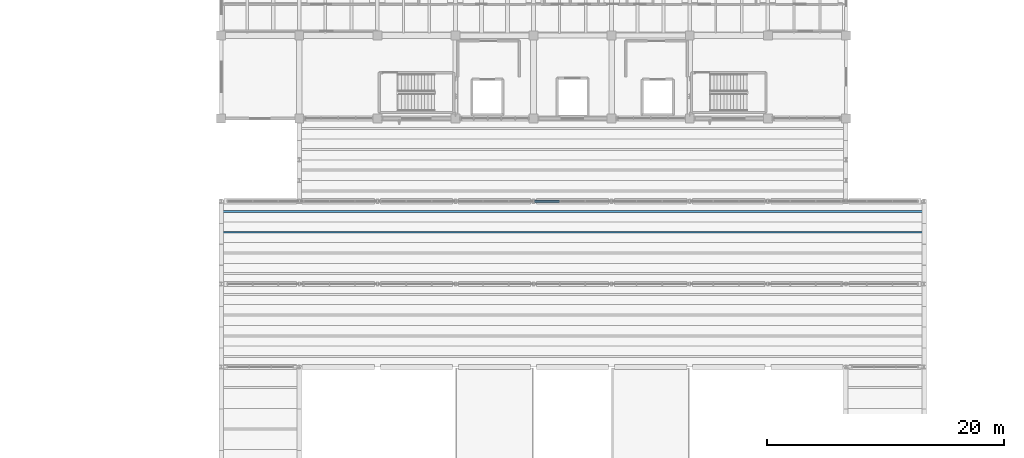
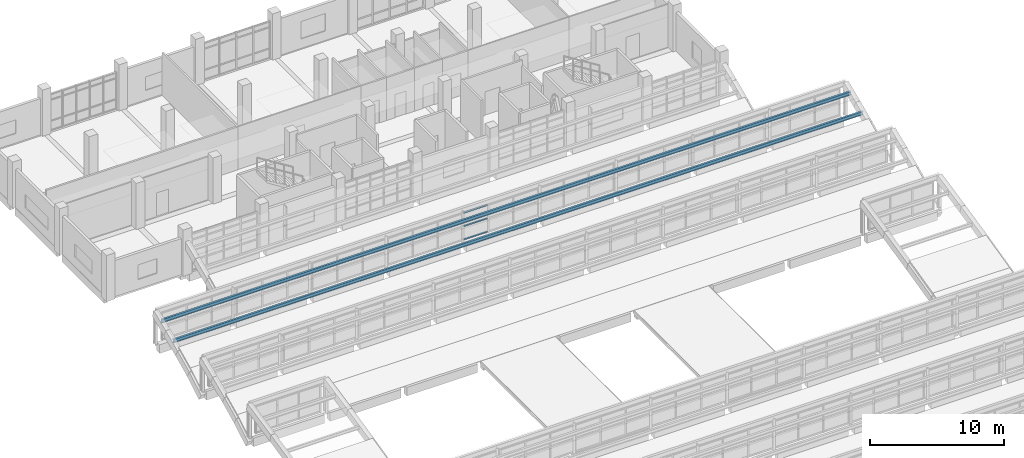
# One storey, part 49 of 92: 5 members, 1 element without a shape of its own.
"""IFC4 building model written with IfcOpenShell, lengths in metres."""

import ifcopenshell
import ifcopenshell.guid

model = None  # the IFC model being written
_history = None  # IfcOwnerHistory: only IFC2X3 demands one
_inside = {}  # id of a spatial element -> (the spatial element, [elements in it])
_under = {}  # id of a project, library or spatial element -> (it, [spatial elements below it])
_declared = {}  # id of a project -> (the project, [libraries it declares])
_typed = {}  # id of a type object -> (the type object, [elements of that type])
_made_of = {}  # id of a material, layer set ... -> (it, [elements and type objects made of it])


def new_model(schema):
    """Start an empty IFC model of exactly this schema.

    Asked for "IFC4X3", IfcOpenShell would pick the latest addendum, in which some entities
    have other attributes; the version numbers below select the first issue.
    IFC2X3 requires an IfcOwnerHistory on every rooted entity: one is made here for all.
    """
    global model, _history
    if schema == "IFC4X3":
        model = ifcopenshell.file(schema_version=(4, 3, 0, 0))
    else:
        model = ifcopenshell.file(schema=schema)
    _inside.clear()
    _under.clear()
    _declared.clear()
    _typed.clear()
    _made_of.clear()
    _history = None
    if model.schema == "IFC2X3":
        org = make("IfcOrganization", Name="unknown")
        user = make(
            "IfcPersonAndOrganization",
            ThePerson=make("IfcPerson", FamilyName="unknown"),
            TheOrganization=org,
        )
        app = make(
            "IfcApplication",
            ApplicationDeveloper=org,
            Version="unknown",
            ApplicationFullName="unknown",
            ApplicationIdentifier="unknown",
        )
        _history = make(
            "IfcOwnerHistory",
            OwningUser=user,
            OwningApplication=app,
            ChangeAction="ADDED",
            CreationDate=0,
        )
    return model


def make(cls, **values):
    """One entity of the class cls with the attributes given. An attribute that is None is left unset."""
    return model.create_entity(
        cls, **{name: value for name, value in values.items() if value is not None}
    )


def rooted(cls, **values):
    """An entity with a GlobalId (a new one), such as an element, a storey or a relation."""
    return make(cls, GlobalId=ifcopenshell.guid.new(), OwnerHistory=_history, **values)


def si_unit(unit_type, name, prefix=None):
    """IfcSIUnit, for example si_unit("LENGTHUNIT", "METRE", prefix="MILLI")."""
    return make("IfcSIUnit", UnitType=unit_type, Prefix=prefix, Name=name)


def assignment(units):
    """IfcUnitAssignment: the units of a project."""
    return None if units is None else make("IfcUnitAssignment", Units=units)


def point(xyz):
    """IfcCartesianPoint."""
    return None if xyz is None else make("IfcCartesianPoint", Coordinates=xyz)


def direction(xyz):
    """IfcDirection."""
    return None if xyz is None else make("IfcDirection", DirectionRatios=xyz)


def frame(location, z_axis=None, x_axis=None):
    """IfcAxis2Placement3D, a coordinate frame: its origin and axes. An axis left out is left unset."""
    return make(
        "IfcAxis2Placement3D",
        Location=point(location),
        Axis=direction(z_axis),
        RefDirection=direction(x_axis),
    )


def frame_2d(location, x_axis=None):
    """IfcAxis2Placement2D, a coordinate frame in the plane: its origin and x axis."""
    return make(
        "IfcAxis2Placement2D", Location=point(location), RefDirection=direction(x_axis)
    )


def origin():
    """The frame at (0, 0, 0) with its axes left unset."""
    return frame((0.0, 0.0, 0.0))


def origin_2d():
    """The frame at (0, 0) in the plane with its x axis left unset."""
    return frame_2d((0.0, 0.0))


def place(relative_to, where):
    """IfcLocalPlacement: puts the frame where relative to a parent placement (None: the world)."""
    return make(
        "IfcLocalPlacement", PlacementRelTo=relative_to, RelativePlacement=where
    )


def context(
    kind, dimensions, precision=None, world=None, true_north=None, identifier=None
):
    """IfcGeometricRepresentationContext, for example the 3D "Model" context."""
    return make(
        "IfcGeometricRepresentationContext",
        ContextIdentifier=identifier,
        ContextType=kind,
        CoordinateSpaceDimension=dimensions,
        Precision=precision,
        WorldCoordinateSystem=world,
        TrueNorth=true_north,
    )


def subcontext(parent, identifier, kind, view, scale=None):
    """IfcGeometricRepresentationSubContext, for example "Body" below "Model"."""
    return make(
        "IfcGeometricRepresentationSubContext",
        ContextIdentifier=identifier,
        ContextType=kind,
        ParentContext=parent,
        TargetScale=scale,
        TargetView=view,
    )


def project(units=None, contexts=None):
    """IfcProject with its units and contexts."""
    return rooted(
        "IfcProject",
        Name="project",
        RepresentationContexts=contexts,
        UnitsInContext=assignment(units),
    )


def spatial(cls, under=None, at=None, **own):
    """A site, building, storey or space (cls), placed at a placement, below another one or the project."""
    s = rooted(cls, ObjectPlacement=at, **own)
    if under is not None:
        _under.setdefault(under.id(), (under, []))[1].append(s)
    return s


def profile(cls, at=None, kind="AREA", **sizes):
    """A parametric profile (cls). Its sizes go by their IFC names, for example OverallWidth=200.0."""
    return make(cls, ProfileType=kind, Position=at, **sizes)


def rectangle(**sizes):
    """IfcRectangleProfileDef."""
    return profile("IfcRectangleProfileDef", **sizes)


def i_section(**sizes):
    """IfcIShapeProfileDef."""
    return profile("IfcIShapeProfileDef", **sizes)


def extrude(swept, where, along, depth):
    """IfcExtrudedAreaSolid: the profile swept, set in the frame where, extruded along a direction by depth."""
    return make(
        "IfcExtrudedAreaSolid",
        SweptArea=swept,
        Position=where,
        ExtrudedDirection=direction(along),
        Depth=depth,
    )


def shape(context_of_items, identifier, shape_type, items):
    """IfcShapeRepresentation: the items that make up one representation, for example the "Body"."""
    return make(
        "IfcShapeRepresentation",
        ContextOfItems=context_of_items,
        RepresentationIdentifier=identifier,
        RepresentationType=shape_type,
        Items=items,
    )


def material(Name=None, Category=None):
    """IfcMaterial."""
    return make("IfcMaterial", Name=Name, Category=Category)


def material_profile(
    of_material, cross_section, Name=None, Category=None, Priority=None
):
    """IfcMaterialProfile: a cross section and its material."""
    return make(
        "IfcMaterialProfile",
        Name=Name,
        Material=of_material,
        Profile=cross_section,
        Priority=Priority,
        Category=Category,
    )


def profile_set(profiles, Name=None, composite=None):
    """IfcMaterialProfileSet."""
    return make(
        "IfcMaterialProfileSet",
        Name=Name,
        MaterialProfiles=profiles,
        CompositeProfile=composite,
    )


def made_of(thing, what):
    """Note that an element or type object is made of a material, layer set ...; save() writes the relation."""
    if what is not None:
        _made_of.setdefault(what.id(), (what, []))[1].append(thing)
    return thing


def type_object(cls, material=None, **own):
    """A type object (cls), such as IfcWallType, which elements share."""
    return made_of(rooted(cls, **own), material)


def element(
    cls,
    number,
    at=None,
    inside=None,
    cuts=None,
    type_object=None,
    material=None,
    context=None,
    identifier="Body",
    shape_type=None,
    held_by="IfcProductDefinitionShape",
    body=None,
    shapes=None,
    **own,
):
    """One element of the class cls, such as IfcWall. Its Tag is "e" and its number.

    at: its placement. inside: the storey or other place that contains it. cuts: it is an
    opening in that element (IfcRelVoidsElement). A single representation is given by context,
    identifier, shape_type and body (its items); several are given by shapes. held_by: the class
    of the entity that holds the representations. save() writes the other relations.
    """
    e = rooted(cls, Tag="e%d" % number, ObjectPlacement=at, **own)
    if body is not None:
        shapes = [shape(context, identifier, shape_type, body)]
    if shapes is not None:
        e.Representation = make(held_by, Representations=shapes)
    if inside is not None:
        _inside.setdefault(inside.id(), (inside, []))[1].append(e)
    if cuts is not None:
        rooted(
            "IfcRelVoidsElement", RelatingBuildingElement=cuts, RelatedOpeningElement=e
        )
    if type_object is not None:
        _typed.setdefault(type_object.id(), (type_object, []))[1].append(e)
    return made_of(e, material)


def aggregate(whole, parts):
    """IfcRelAggregates: a whole, such as a stair, and the parts it consists of."""
    return rooted("IfcRelAggregates", RelatingObject=whole, RelatedObjects=parts)


def save(model, path):
    """Write the relations noted so far, then the file.

    IfcRelAggregates (storeys below a building ...), IfcRelContainedInSpatialStructure (elements
    in a storey), IfcRelDefinesByType, IfcRelAssociatesMaterial and IfcRelDeclares: one each for
    every whole, place, type object, material and project.
    """
    for whole, parts in _under.values():
        aggregate(whole, parts)
    for where, things in _inside.values():
        rooted(
            "IfcRelContainedInSpatialStructure",
            RelatedElements=things,
            RelatingStructure=where,
        )
    for kind, things in _typed.values():
        rooted("IfcRelDefinesByType", RelatedObjects=things, RelatingType=kind)
    for what, things in _made_of.values():
        rooted("IfcRelAssociatesMaterial", RelatedObjects=things, RelatingMaterial=what)
    for by, libraries in _declared.values():
        rooted("IfcRelDeclares", RelatingContext=by, RelatedDefinitions=libraries)
    model.write(path)


model = new_model("IFC4")

# Units and contexts
model_context = context("Model", 3, precision=1e-05, world=origin(), true_north=direction((0.0, 1.0)))
body_context = subcontext(model_context, "Body", "Model", "MODEL_VIEW")
ifc_project = project(units=[si_unit("LENGTHUNIT", "METRE"), si_unit("AREAUNIT", "SQUARE_METRE"), si_unit("VOLUMEUNIT", "CUBIC_METRE"), si_unit("PLANEANGLEUNIT", "RADIAN"), si_unit("MASSUNIT", "GRAM", prefix="KILO")], contexts=[model_context])

# Site, building, storey
site_placement = place(None, origin())
site = spatial("IfcSite", under=ifc_project, at=site_placement, CompositionType="ELEMENT")
building_placement = place(site_placement, origin())
building = spatial("IfcBuilding", under=site, at=building_placement, Name="Ciguamira Faculty of Natural Sciences", CompositionType="ELEMENT")
storey_placement = place(building_placement, frame((0.0, 0.0, 16.800048828125)))
storey = spatial("IfcBuildingStorey", under=building, at=storey_placement, Name="L04", CompositionType="ELEMENT", Elevation=16.800048828125)

# Curtain wall, members
ifc_material_1 = material(Name="Anodized aluminium curtain wall", Category="aluminium")
curtain_wall_type = type_object("IfcCurtainWallType", Name="CurtainWall_CW-08", PredefinedType="USERDEFINED", material=ifc_material_1)
curtain_wall_placement = place(storey_placement, origin())
curtain_wall = element("IfcCurtainWall", 1, at=curtain_wall_placement, inside=storey, type_object=curtain_wall_type, Name="V4 north-light wave 6 clerestory glazing 1", ObjectType="UNITISED CURTAIN WALL", PredefinedType="USERDEFINED")
ifc_material_2 = material(Name="Anodized aluminium transom", Category="aluminium")
ifc_material_profile_1 = material_profile(ifc_material_2, rectangle(XDim=0.070068359375, YDim=0.139892578125, at=origin_2d()), Name="ALU-TRN-70X140")
ifc_profile_set_1 = profile_set([ifc_material_profile_1], Name="Anodized aluminium transom")
member_type_1 = type_object("IfcMemberType", Name="CWTransom_CWT-02", PredefinedType="USERDEFINED", material=ifc_profile_set_1)
member_1_placement = place(storey_placement, frame((83.79052734375, 87.0, 0.284912109375), z_axis=(1.0, 0.0, 0.0), x_axis=(0.0, 0.0, 1.0)))
member_1 = element("IfcMember", 2, at=member_1_placement, type_object=member_type_1, Name="CW-08 transom 13.1", ObjectType="TRANSOM", PredefinedType="USERDEFINED", context=body_context, shape_type="SweptSolid", body=[
    extrude(rectangle(XDim=0.070068359375, YDim=0.139892578125, at=origin_2d()), origin(), (0.0, 0.0, 1.0), 2.093017578125),
])
member_2_placement = place(storey_placement, frame((83.79052734375, 87.0, 1.5), z_axis=(1.0, 0.0, 0.0), x_axis=(0.0, 0.0, 1.0)))
member_2 = element("IfcMember", 3, at=member_2_placement, type_object=member_type_1, Name="CW-08 transom 13.2", ObjectType="TRANSOM", PredefinedType="USERDEFINED", context=body_context, shape_type="SweptSolid", body=[
    extrude(rectangle(XDim=0.070068359375, YDim=0.139892578125, at=origin_2d()), origin(), (0.0, 0.0, 1.0), 2.093017578125),
])
member_3_placement = place(storey_placement, frame((83.79052734375, 87.0, 2.71484375), z_axis=(1.0, 0.0, 0.0), x_axis=(0.0, 0.0, 1.0)))
member_3 = element("IfcMember", 4, at=member_3_placement, type_object=member_type_1, Name="CW-08 transom 13.3", ObjectType="TRANSOM", PredefinedType="USERDEFINED", context=body_context, shape_type="SweptSolid", body=[
    extrude(rectangle(XDim=0.070068359375, YDim=0.139892578125, at=origin_2d()), origin(), (0.0, 0.0, 1.0), 2.093017578125),
])
aggregate(curtain_wall, [member_1, member_2, member_3])

# Members
ifc_material_3 = material(Name="Steel ASTM A992 Grade 50", Category="steel")
ifc_material_profile_2 = material_profile(ifc_material_3, i_section(OverallWidth=0.164794921875, OverallDepth=0.309814453125, WebThickness=0.005859375, FlangeThickness=0.009765625, at=origin_2d()), Name="W12X26")
ifc_profile_set_2 = profile_set([ifc_material_profile_2], Name="Steel ASTM A992 Grade 50")
member_type_2 = type_object("IfcMemberType", Name="SteelMember_PR-02_W12X26", PredefinedType="PURLIN", material=ifc_profile_set_2)
for number, where, z_axis, x_axis, name in (
    (5, (57.300048828125, 84.375, 1.8994140625), (1.0, 0.0, 0.0), (0.0, 1.0, 0.0), "V4 wave roof steel purlin 6-1-3"),
    (6, (57.300048828125, 86.125, 2.65625), (1.0, 0.0, 0.0), (0.0, 1.0, 0.0), "V4 wave roof steel purlin 6-1-4"),
):
    element("IfcMember", number, at=place(storey_placement, frame(where, z_axis=z_axis, x_axis=x_axis)), inside=storey, type_object=member_type_2, Name=name, PredefinedType="PURLIN", context=body_context, shape_type="SweptSolid", body=[
        extrude(i_section(OverallWidth=0.164794921875, OverallDepth=0.309814453125, WebThickness=0.005859375, FlangeThickness=0.009765625, at=origin_2d()), origin(), (0.0, 0.0, 1.0), 59.39990234375),
    ])

save(model, "model.ifc")
